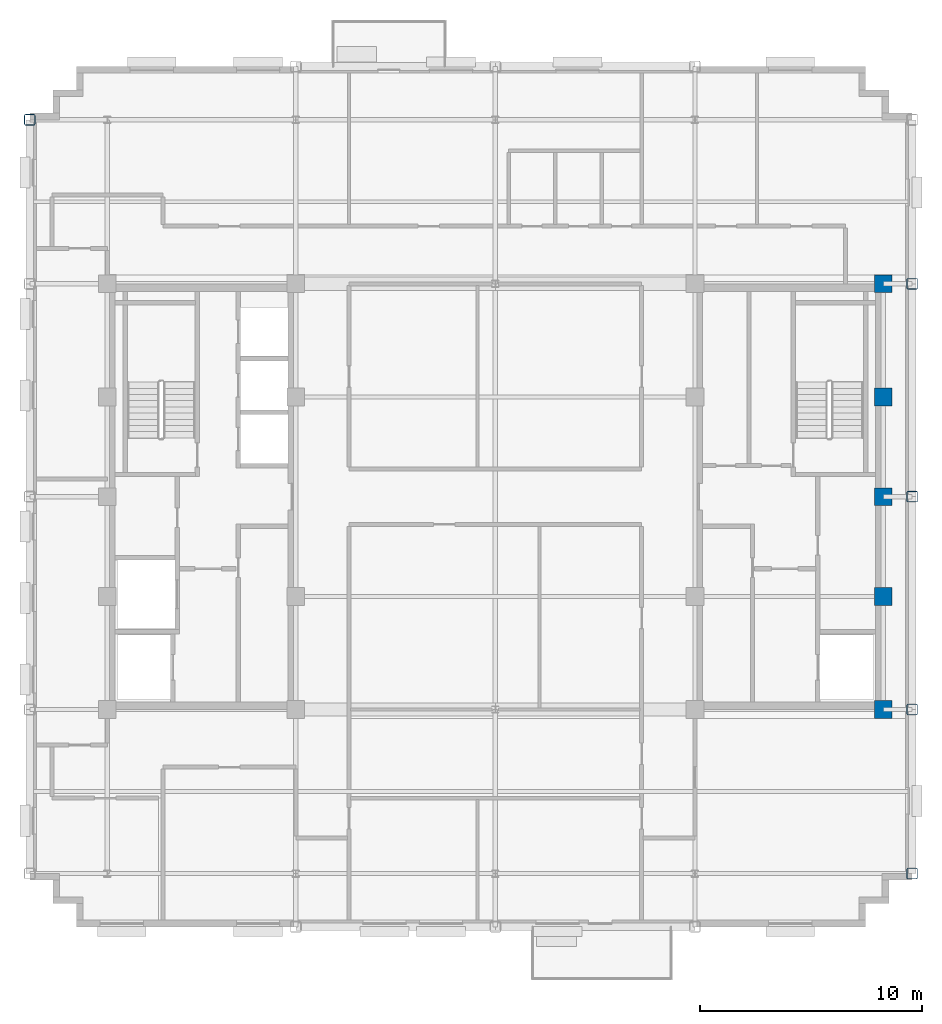
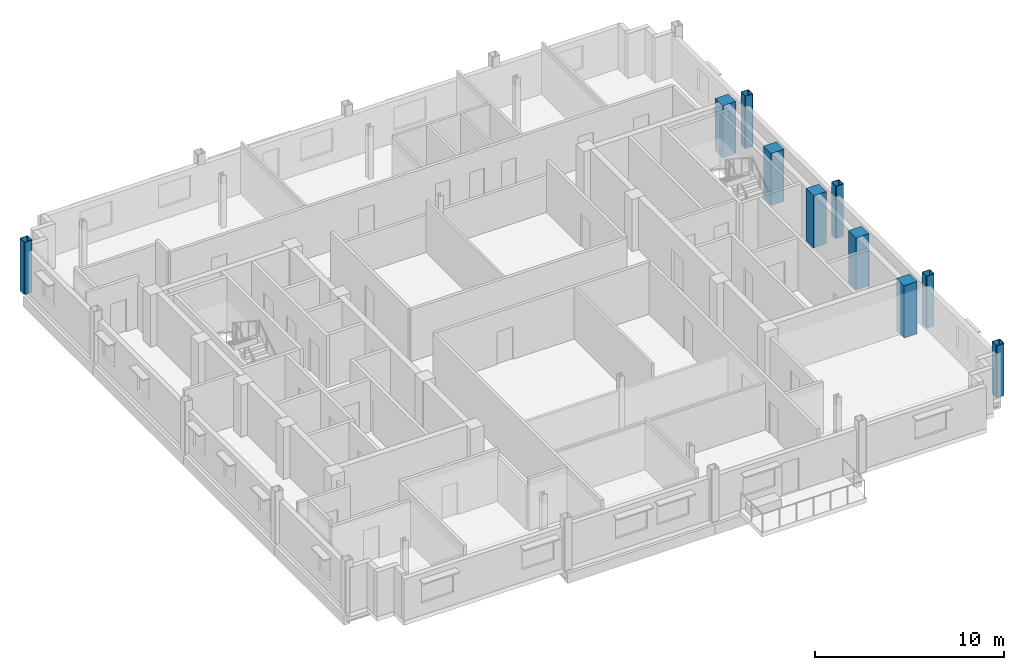
# One storey, part 2 of 13: 10 columns.
"""IFC4 building model written with IfcOpenShell, lengths in metres."""

from ifc_helpers import new_model, si_unit, direction, frame, origin, origin_2d, place, context, subcontext, project, spatial, rectangle, hollow_rectangle, extrude, material, material_profile, profile_set, type_object, element, save


model = new_model("IFC4")

# Units and contexts
model_context = context("Model", 3, precision=1e-05, world=origin(), true_north=direction((0.0, 1.0)))
body_context = subcontext(model_context, "Body", "Model", "MODEL_VIEW")
ifc_project = project(units=[si_unit("LENGTHUNIT", "METRE"), si_unit("AREAUNIT", "SQUARE_METRE"), si_unit("VOLUMEUNIT", "CUBIC_METRE"), si_unit("PLANEANGLEUNIT", "RADIAN"), si_unit("MASSUNIT", "GRAM", prefix="KILO")], contexts=[model_context])

# Site, building, storey
site_placement = place(None, origin())
site = spatial("IfcSite", under=ifc_project, at=site_placement, CompositionType="ELEMENT")
building_placement = place(site_placement, origin())
building = spatial("IfcBuilding", under=site, at=building_placement, Name="Nuvemarco Arch Tower", CompositionType="ELEMENT")
storey_placement = place(building_placement, frame((0.0, 0.0, 276.199951171875)))
storey = spatial("IfcBuildingStorey", under=building, at=storey_placement, Name="L73", CompositionType="ELEMENT", Elevation=276.199951171875)

# Columns
ifc_material_1 = material(Name="Concrete C50/60", Category="concrete")
ifc_material_profile_1 = material_profile(ifc_material_1, rectangle(XDim=0.800048828125, YDim=0.800048828125, at=origin_2d()), Name="RC-COL-800x800")
ifc_profile_set_1 = profile_set([ifc_material_profile_1], Name="Concrete C50/60")
column_type_1 = type_object("IfcColumnType", Name="COL-CORE-800", PredefinedType="COLUMN", material=ifc_profile_set_1)
for number, where, z_axis, x_axis, name in (
    (1, (17.5, -9.60009765625, 0.0), (0.0, 0.0, 1.0), (1.0, 0.0, 0.0), "L73 column CC_+17.5_-9.6"),
    (2, (17.5, -4.5, 0.0), (0.0, 0.0, 1.0), (1.0, 0.0, 0.0), "L73 column CC_+17.5_-4.5"),
    (3, (17.5, 4.5, 0.0), (0.0, 0.0, 1.0), (1.0, 0.0, 0.0), "L73 column CC_+17.5_+4.5"),
    (4, (17.5, 9.60009765625, 0.0), (0.0, 0.0, 1.0), (1.0, 0.0, 0.0), "L73 column CC_+17.5_+9.6"),
    (5, (17.5, 0.0, 0.0), (0.0, 0.0, 1.0), (1.0, 0.0, 0.0), "L73 column CC_+17.5_+0.0"),
):
    element("IfcColumn", number, at=place(storey_placement, frame(where, z_axis=z_axis, x_axis=x_axis)), inside=storey, type_object=column_type_1, Name=name, PredefinedType="COLUMN", context=body_context, shape_type="SweptSolid", body=[
        extrude(rectangle(XDim=0.800048828125, YDim=0.800048828125, at=origin_2d()), origin(), (0.0, 0.0, 1.0), 3.3701171875),
    ])
ifc_material_2 = material(Name="Steel S355", Category="steel")
ifc_material_profile_2 = material_profile(ifc_material_2, hollow_rectangle(XDim=0.5, YDim=0.5, WallThickness=0.031982421875, InnerFilletRadius=0.031982421875, OuterFilletRadius=0.06396484375, at=origin_2d()), Name="SHS500x500x32")
ifc_profile_set_2 = profile_set([ifc_material_profile_2], Name="Steel S355")
column_type_2 = type_object("IfcColumnType", Name="COL-EXO-500", PredefinedType="COLUMN", material=ifc_profile_set_2)
for number, where, z_axis, x_axis, name in (
    (6, (-21.0, 17.0, 0.0), (0.0, 0.0, 1.0), (1.0, 0.0, 0.0), "L73 column CX_-21.0_+17.0"),
    (7, (18.800048828125, -17.0, 0.0), (0.0, 0.0, 1.0), (1.0, 0.0, 0.0), "L73 column CX_+18.8_-17.0"),
    (8, (18.800048828125, -9.60009765625, 0.0), (0.0, 0.0, 1.0), (1.0, 0.0, 0.0), "L73 column CX_+18.8_-9.6"),
    (9, (18.800048828125, 0.0, 0.0), (0.0, 0.0, 1.0), (1.0, 0.0, 0.0), "L73 column CX_+18.8_+0.0"),
    (10, (18.800048828125, 9.60009765625, 0.0), (0.0, 0.0, 1.0), (1.0, 0.0, 0.0), "L73 column CX_+18.8_+9.6"),
):
    element("IfcColumn", number, at=place(storey_placement, frame(where, z_axis=z_axis, x_axis=x_axis)), inside=storey, type_object=column_type_2, Name=name, PredefinedType="COLUMN", context=body_context, shape_type="SweptSolid", body=[
        extrude(hollow_rectangle(XDim=0.5, YDim=0.5, WallThickness=0.031982421875, InnerFilletRadius=0.031982421875, OuterFilletRadius=0.06396484375, at=origin_2d()), origin(), (0.0, 0.0, 1.0), 3.3701171875),
    ])

save(model, "model.ifc")
